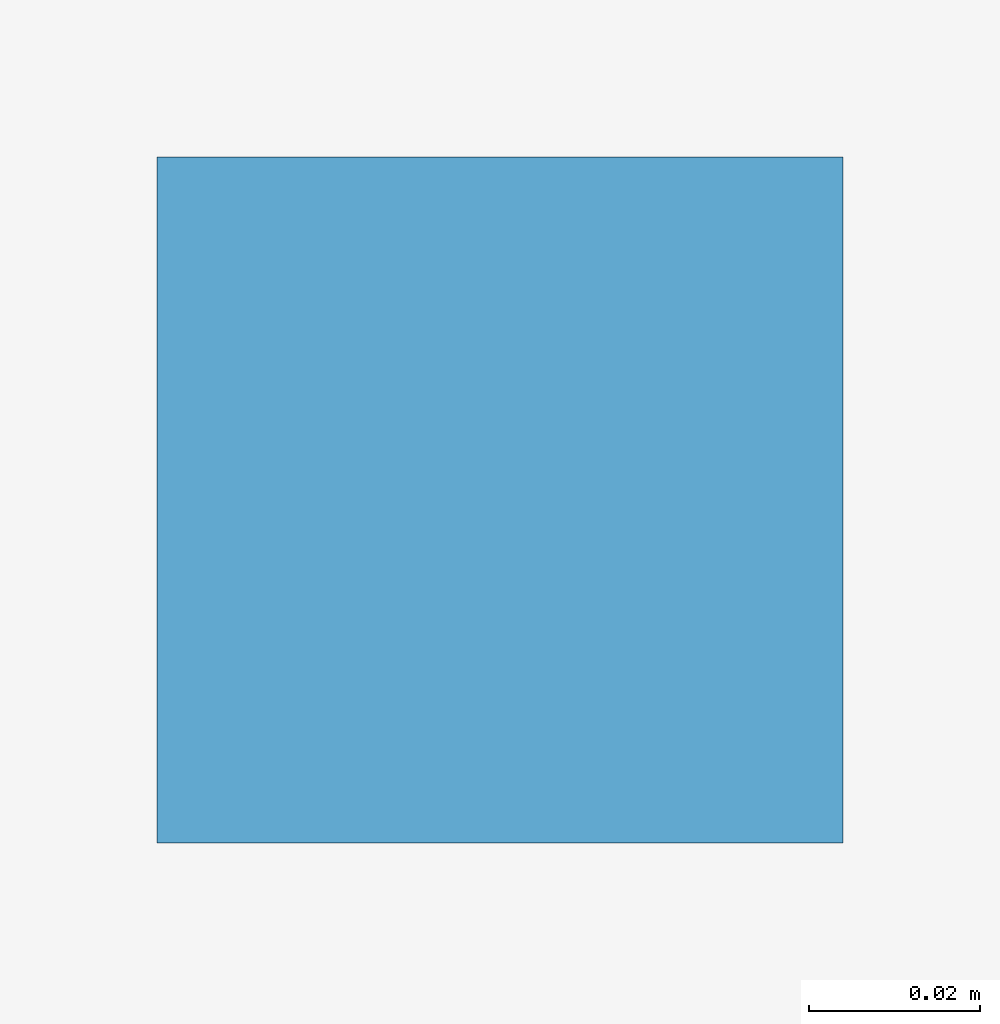
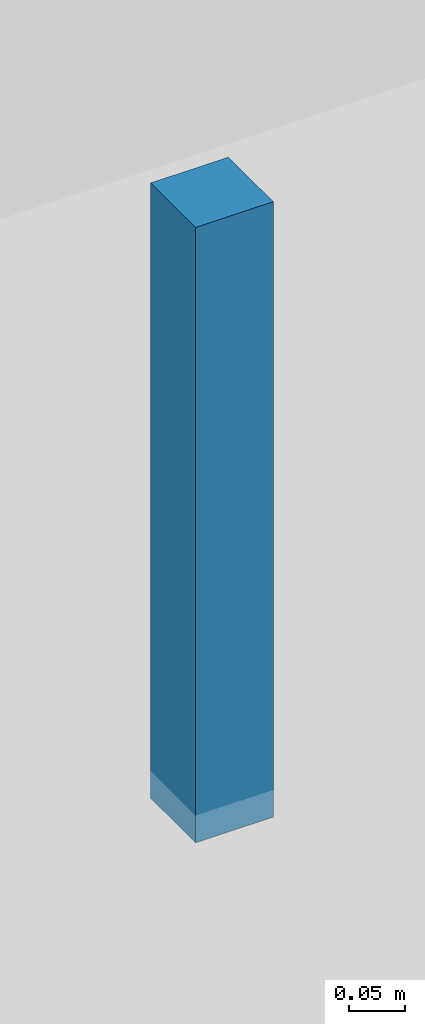
# One storey, part 11 of 15: 1 discrete accessory.
"""IFC4 building model written with IfcOpenShell, lengths in metres."""

from ifc_helpers import new_model, si_unit, direction, frame, origin, origin_2d, place, context, subcontext, project, spatial, rectangle, extrude, source, transform, mapped, material, type_object, element, save


model = new_model("IFC4")

# Units and contexts
model_context = context("Model", 3, precision=1e-05, world=origin(), true_north=direction((0.0, 1.0)))
body_context = subcontext(model_context, "Body", "Model", "MODEL_VIEW")
ifc_project = project(units=[si_unit("LENGTHUNIT", "METRE"), si_unit("AREAUNIT", "SQUARE_METRE"), si_unit("VOLUMEUNIT", "CUBIC_METRE"), si_unit("PLANEANGLEUNIT", "RADIAN"), si_unit("MASSUNIT", "GRAM", prefix="KILO")], contexts=[model_context])

# Site, building, storey
site_placement = place(None, origin())
site = spatial("IfcSite", under=ifc_project, at=site_placement, CompositionType="ELEMENT")
building_placement = place(site_placement, origin())
building = spatial("IfcBuilding", under=site, at=building_placement, Name="Giltprow Tower", CompositionType="ELEMENT")
storey_placement = place(building_placement, frame((0.0, 0.0, 184.199951171875)))
storey = spatial("IfcBuildingStorey", under=building, at=storey_placement, Name="L46", CompositionType="ELEMENT", Elevation=184.199951171875)

# Discrete accessory
ifc_material = material(Name="Structural steel Q355B", Category="steel")
discrete_accessory_type = type_object("IfcDiscreteAccessoryType", Name="ACC-CLG-HANGER", PredefinedType="BRACKET", material=ifc_material)
shared_shape = source(origin(), body_context, "Body", "SweptSolid", [
    extrude(rectangle(XDim=0.080078125, YDim=0.080078125, at=origin_2d()), origin(), (0.0, 0.0, 1.0), 0.669921875),
])
discrete_accessory_placement = place(storey_placement, frame((35.0, 36.10009765625, 2.6201171875), z_axis=(0.0, 0.0, 1.0), x_axis=(1.0, 0.0, 0.0)))
element("IfcDiscreteAccessory", 1, at=discrete_accessory_placement, inside=storey, type_object=discrete_accessory_type, Name="L46 Hotel Corridor Gypsum Ceiling Suspension Hanger", PredefinedType="BRACKET", context=body_context, shape_type="MappedRepresentation", body=[
    mapped(shared_shape, transform((0.0, 0.0, 0.0), x_axis=(1.0, 0.0, 0.0), y_axis=(0.0, 1.0, 0.0), z_axis=(0.0, 0.0, 1.0), scale=1.0)),
])

save(model, "model.ifc")
